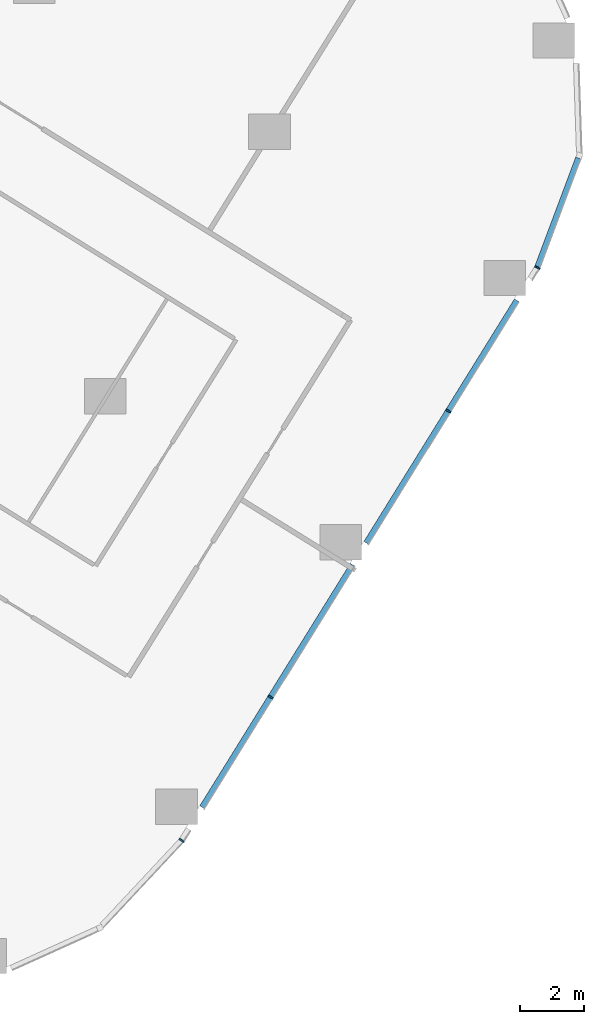
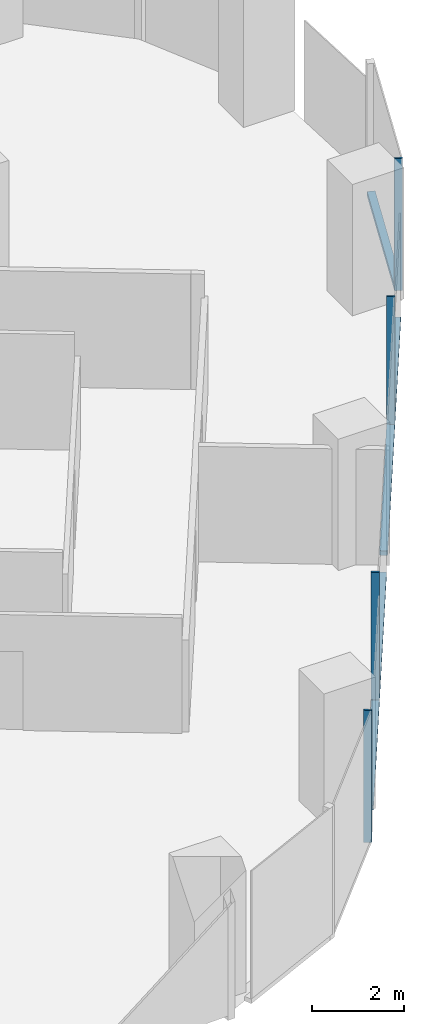
# One storey, part 9 of 33: 7 members, 3 elements without a shape of their own.
"""IFC4 building model written with IfcOpenShell, lengths in metres."""

from ifc_helpers import new_model, si_unit, direction, frame, origin, origin_2d, place, context, subcontext, project, spatial, rectangle, extrude, material, material_profile, profile_set, type_object, element, aggregate, save


model = new_model("IFC4")

# Units and contexts
model_context = context("Model", 3, precision=1e-05, world=origin(), true_north=direction((0.0, 1.0)))
body_context = subcontext(model_context, "Body", "Model", "MODEL_VIEW")
ifc_project = project(units=[si_unit("LENGTHUNIT", "METRE"), si_unit("AREAUNIT", "SQUARE_METRE"), si_unit("VOLUMEUNIT", "CUBIC_METRE"), si_unit("PLANEANGLEUNIT", "RADIAN"), si_unit("MASSUNIT", "GRAM", prefix="KILO")], contexts=[model_context])

# Site, building, storey
site_placement = place(None, origin())
site = spatial("IfcSite", under=ifc_project, at=site_placement, CompositionType="ELEMENT")
building_placement = place(site_placement, origin())
building = spatial("IfcBuilding", under=site, at=building_placement, Name="Orlundy Tower", CompositionType="ELEMENT")
storey_placement = place(building_placement, frame((0.0, 0.0, 51.300048828125)))
storey = spatial("IfcBuildingStorey", under=building, at=storey_placement, Name="L11", CompositionType="ELEMENT", Elevation=51.300048828125)

# Curtain wall, members
ifc_material_1 = material(Name="Aluminium bronze anodised", Category="aluminium")
curtain_wall_type = type_object("IfcCurtainWallType", Name="CW1 wall", PredefinedType="NOTDEFINED", material=ifc_material_1)
curtain_wall_1_placement = place(storey_placement, origin())
curtain_wall_1 = element("IfcCurtainWall", 1, at=curtain_wall_1_placement, inside=storey, type_object=curtain_wall_type, Name="CW1 run 011", PredefinedType="NOTDEFINED")
ifc_material_2 = material(Name="Aluminium bronze anodised", Category="aluminium")
ifc_material_profile_1 = material_profile(ifc_material_2, rectangle(XDim=0.179931640625, YDim=0.050048828125, at=origin_2d()), Name="CW1 mullion 50x180")
ifc_profile_set_1 = profile_set([ifc_material_profile_1], Name="Aluminium bronze anodised")
member_type_1 = type_object("IfcMemberType", Name="CW1 mullion 50x180", PredefinedType="MULLION", material=ifc_profile_set_1)
member_1_placement = place(storey_placement, frame((56.170166015625, -22.5029296875, -0.420166015625), z_axis=(0.0, 0.0, 1.0), x_axis=(0.897195117348, -0.441634375255, 0.0)))
member_1 = element("IfcMember", 2, at=member_1_placement, type_object=member_type_1, Name="CW1 mullion 36", PredefinedType="MULLION", context=body_context, shape_type="SweptSolid", body=[
    extrude(rectangle(XDim=0.179931640625, YDim=0.050048828125, at=origin_2d()), origin(), (0.0, 0.0, 1.0), 3.52001953125),
])
member_2_placement = place(storey_placement, frame((53.396240234375, -26.970703125, -0.420166015625), z_axis=(0.0, 0.0, 1.0), x_axis=(0.849570263059, -0.527475466848, 0.0)))
member_2 = element("IfcMember", 3, at=member_2_placement, type_object=member_type_1, Name="CW1 mullion 37", PredefinedType="MULLION", context=body_context, shape_type="SweptSolid", body=[
    extrude(rectangle(XDim=0.179931640625, YDim=0.050048828125, at=origin_2d()), origin(), (0.0, 0.0, 1.0), 3.52001953125),
])
member_3_placement = place(storey_placement, frame((47.857666015625, -35.89111328125, -0.420166015625), z_axis=(0.0, 0.0, 1.0), x_axis=(0.849570263059, -0.527475466848, 0.0)))
member_3 = element("IfcMember", 4, at=member_3_placement, type_object=member_type_1, Name="CW1 mullion 39", PredefinedType="MULLION", context=body_context, shape_type="SweptSolid", body=[
    extrude(rectangle(XDim=0.179931640625, YDim=0.050048828125, at=origin_2d()), origin(), (0.0, 0.0, 1.0), 3.52001953125),
])

# Curtain wall, member
curtain_wall_2_placement = place(storey_placement, origin())
curtain_wall_2 = element("IfcCurtainWall", 5, at=curtain_wall_2_placement, inside=storey, type_object=curtain_wall_type, Name="CW1 run 012", PredefinedType="NOTDEFINED")
member_4_placement = place(storey_placement, frame((45.083740234375, -40.35888671875, -0.420166015625), z_axis=(0.0, 0.0, 1.0), x_axis=(0.793768151069, -0.608220455385, 0.0)))
member_4 = element("IfcMember", 6, at=member_4_placement, type_object=member_type_1, Name="CW1 mullion 40", PredefinedType="MULLION", context=body_context, shape_type="SweptSolid", body=[
    extrude(rectangle(XDim=0.179931640625, YDim=0.050048828125, at=origin_2d()), origin(), (0.0, 0.0, 1.0), 3.52001953125),
])
aggregate(curtain_wall_2, [member_4])

curtain_wall_3_placement = place(storey_placement, origin())
curtain_wall_3 = element("IfcCurtainWall", 7, at=curtain_wall_3_placement, inside=storey, type_object=curtain_wall_type, Name="CW1 run 010", PredefinedType="NOTDEFINED")
ifc_material_3 = material(Name="Aluminium bronze anodised", Category="aluminium")
ifc_material_profile_2 = material_profile(ifc_material_3, rectangle(XDim=0.179931640625, YDim=0.1201171875, at=origin_2d()), Name="CW1 transom 180x120")
ifc_profile_set_2 = profile_set([ifc_material_profile_2], Name="Aluminium bronze anodised")
member_type_2 = type_object("IfcMemberType", Name="CW1 transom 180x120", PredefinedType="USERDEFINED", material=ifc_profile_set_2)
member_5_placement = place(storey_placement, frame((57.450927734375, -19.092041015625, -0.360107421875), z_axis=(-0.351530090139, -0.936176583624, 0.0), x_axis=(0.936176583624, -0.351530090139, 0.0)))
member_5 = element("IfcMember", 8, at=member_5_placement, type_object=member_type_2, Name="CW1 transom", ObjectType="TRANSOM", PredefinedType="USERDEFINED", context=body_context, shape_type="SweptSolid", body=[
    extrude(rectangle(XDim=0.179931640625, YDim=0.1201171875, at=origin_2d()), origin(), (0.0, 0.0, 1.0), 3.618408203125),
])
aggregate(curtain_wall_3, [member_5])

# Member
member_6_placement = place(storey_placement, frame((55.534912109375, -23.52587890625, -0.360107421875), z_axis=(-0.527463931619, -0.849577424865, 0.0), x_axis=(0.849577424865, -0.527463931619, 0.0)))
member_6 = element("IfcMember", 9, at=member_6_placement, type_object=member_type_2, Name="CW1 transom", ObjectType="TRANSOM", PredefinedType="USERDEFINED", context=body_context, shape_type="SweptSolid", body=[
    extrude(rectangle(XDim=0.179931640625, YDim=0.1201171875, at=origin_2d()), origin(), (0.0, 0.0, 1.0), 8.89892578125),
])

member_7_placement = place(storey_placement, frame((50.418212890625, -31.76708984375, -0.360107421875), z_axis=(-0.527459145576, -0.849580396283, 0.0), x_axis=(0.849580396283, -0.527459145576, 0.0)))
member_7 = element("IfcMember", 10, at=member_7_placement, type_object=member_type_2, Name="CW1 transom", ObjectType="TRANSOM", PredefinedType="USERDEFINED", context=body_context, shape_type="SweptSolid", body=[
    extrude(rectangle(XDim=0.179931640625, YDim=0.1201171875, at=origin_2d()), origin(), (0.0, 0.0, 1.0), 8.8994140625),
])

aggregate(curtain_wall_1, [member_1, member_2, member_3, member_6, member_7])

save(model, "model.ifc")
